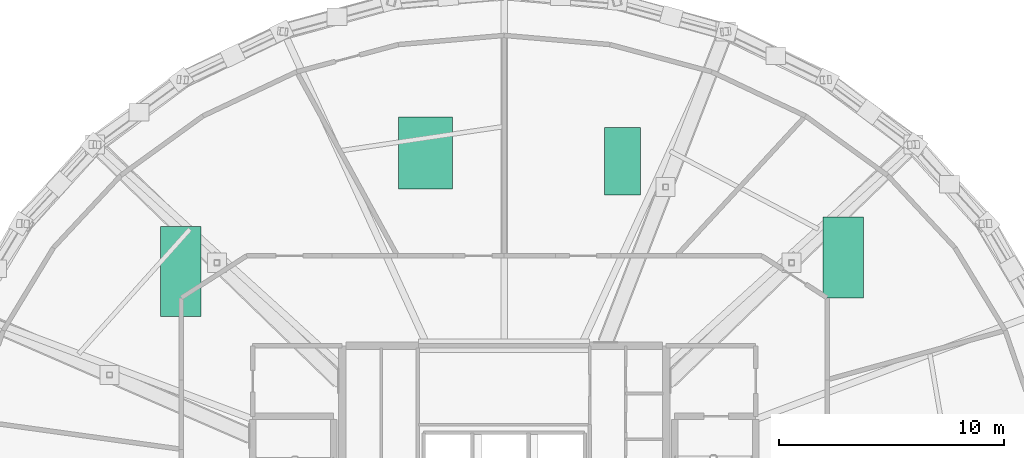
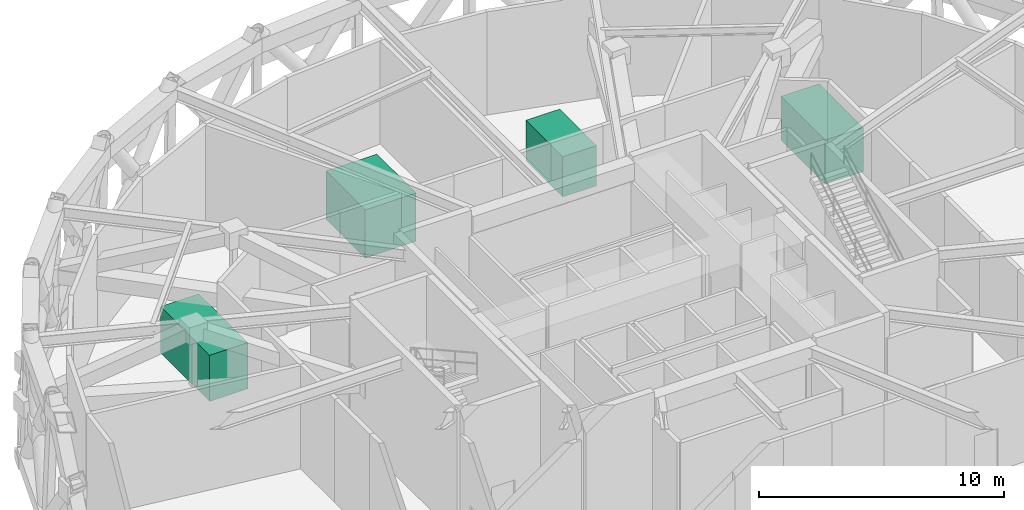
# One storey, part 15 of 15: 1 chiller, 1 electric generator, 1 tank, 1 unitary equipment element.
"""IFC4 building model written with IfcOpenShell, lengths in metres."""

from ifc_helpers import new_model, si_unit, direction, frame, origin, origin_2d, place, context, subcontext, project, spatial, rectangle, extrude, material, type_object, element, save


model = new_model("IFC4")

# Units and contexts
model_context = context("Model", 3, precision=1e-05, world=origin(), true_north=direction((0.0, 1.0)))
body_context = subcontext(model_context, "Body", "Model", "MODEL_VIEW")
ifc_project = project(units=[si_unit("LENGTHUNIT", "METRE"), si_unit("AREAUNIT", "SQUARE_METRE"), si_unit("VOLUMEUNIT", "CUBIC_METRE"), si_unit("PLANEANGLEUNIT", "RADIAN"), si_unit("MASSUNIT", "GRAM", prefix="KILO")], contexts=[model_context])

# Site, building, storey
site_placement = place(None, origin())
site = spatial("IfcSite", under=ifc_project, at=site_placement, CompositionType="ELEMENT")
building_placement = place(site_placement, origin())
building = spatial("IfcBuilding", under=site, at=building_placement, Name="Veldorina Hangang Commons", CompositionType="ELEMENT")
storey_placement = place(building_placement, frame((0.0, 0.0, 208.39990234375)))
storey = spatial("IfcBuildingStorey", under=building, at=storey_placement, Name="L54", CompositionType="ELEMENT", Elevation=208.39990234375)

# Unitary equipment
ifc_material_1 = material(Name="Aluminium Insulated Double-Skin Casing", Category="aluminium")
unitary_equipment_type = type_object("IfcUnitaryEquipmentType", Name="EQ-AHU-1", PredefinedType="AIRHANDLER", material=ifc_material_1)
unitary_equipment_placement = place(storey_placement, frame((37.248046875, 39.649169921875, 0.0), z_axis=(0.0, 0.0, 1.0), x_axis=(1.0, 0.0, 0.0)))
element("IfcUnitaryEquipment", 1, at=unitary_equipment_placement, inside=storey, type_object=unitary_equipment_type, Name="L54 Air Handling Unit Mechanical Plant Room equipment 016", PredefinedType="AIRHANDLER", context=body_context, shape_type="SweptSolid", body=[
    extrude(rectangle(XDim=1.60009765625, YDim=3.0, at=origin_2d()), origin(), (0.0, 0.0, 1.0), 2.0),
])

# Chiller
ifc_material_2 = material(Name="Steel Powder-Coated Enclosure", Category="steel")
chiller_type = type_object("IfcChillerType", Name="EQ-CHILLER-1", PredefinedType="AIRCOOLED", material=ifc_material_2)
chiller_placement = place(storey_placement, frame((47.06689453125, 35.383056640625, 0.0), z_axis=(0.0, 0.0, 1.0), x_axis=(1.0, 0.0, 0.0)))
element("IfcChiller", 2, at=chiller_placement, inside=storey, type_object=chiller_type, Name="L54 Chiller and Heat Exchanger Plant Room equipment 015", PredefinedType="AIRCOOLED", context=body_context, shape_type="SweptSolid", body=[
    extrude(rectangle(XDim=1.800048828125, YDim=3.60009765625, at=origin_2d()), origin(), (0.0, 0.0, 1.0), 2.199951171875),
])

# Electric generator
ifc_material_3 = material(Name="Steel Acoustic Generator Canopy", Category="steel")
electric_generator_type = type_object("IfcElectricGeneratorType", Name="EQ-GEN-1", PredefinedType="ENGINEGENERATOR", material=ifc_material_3)
electric_generator_placement = place(storey_placement, frame((17.626220703125, 34.76220703125, 0.0), z_axis=(0.0, 0.0, 1.0), x_axis=(1.0, 0.0, 0.0)))
element("IfcElectricGenerator", 3, at=electric_generator_placement, inside=storey, type_object=electric_generator_type, Name="L54 High-Voltage Electrical Switchgear Room equipment 018", PredefinedType="ENGINEGENERATOR", context=body_context, shape_type="SweptSolid", body=[
    extrude(rectangle(XDim=1.800048828125, YDim=4.0, at=origin_2d()), origin(), (0.0, 0.0, 1.0), 2.300048828125),
])

# Tank
ifc_material_4 = material(Name="Stainless Steel Panel Tank 316L", Category="steel")
tank_type = type_object("IfcTankType", Name="EQ-TANK-1", PredefinedType="STORAGE", material=ifc_material_4)
tank_placement = place(storey_placement, frame((28.50927734375, 40.012451171875, 0.000244140625), z_axis=(0.0, 0.0, 1.0), x_axis=(1.0, 0.0, 0.0)))
element("IfcTank", 4, at=tank_placement, inside=storey, type_object=tank_type, Name="L54 Domestic and Fire Booster Pump Room equipment 017", PredefinedType="STORAGE", context=body_context, shape_type="SweptSolid", body=[
    extrude(rectangle(XDim=2.39990234375, YDim=3.199951171875, at=origin_2d()), origin(), (0.0, 0.0, 1.0), 2.39990234375),
])

save(model, "model.ifc")
